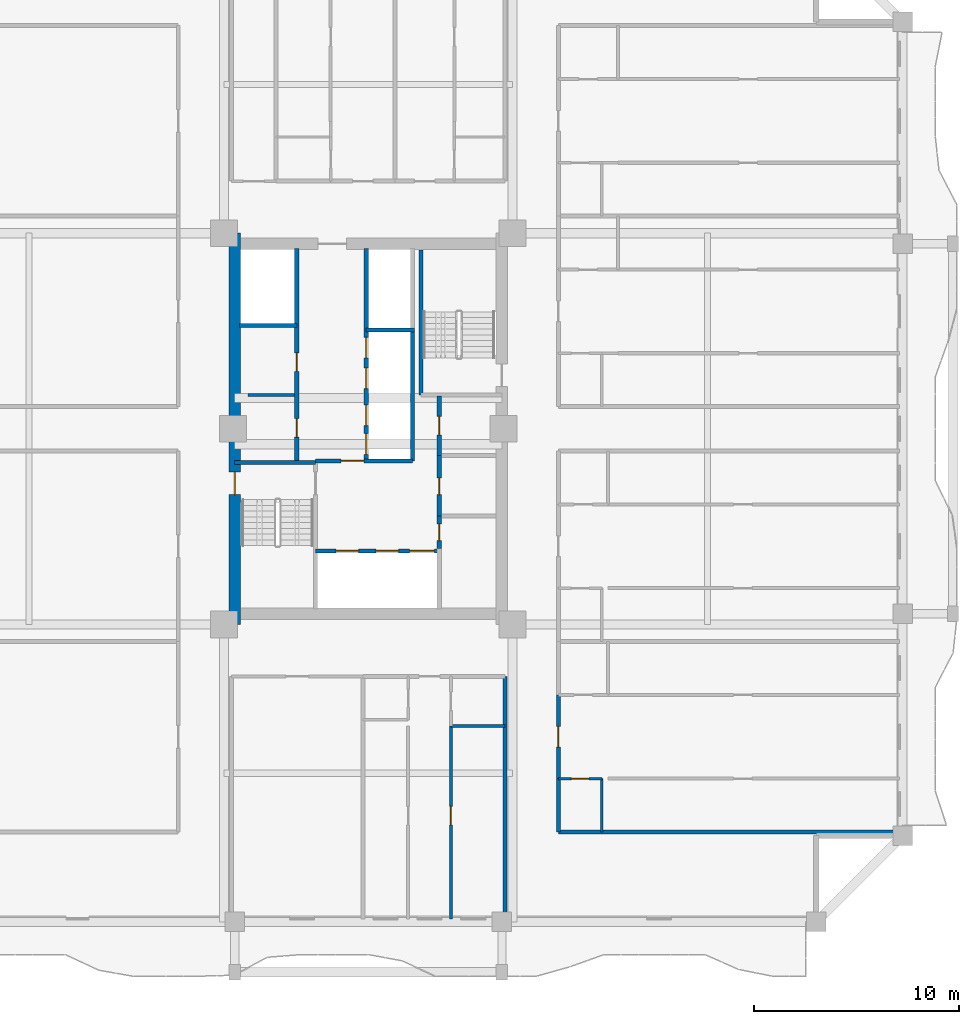
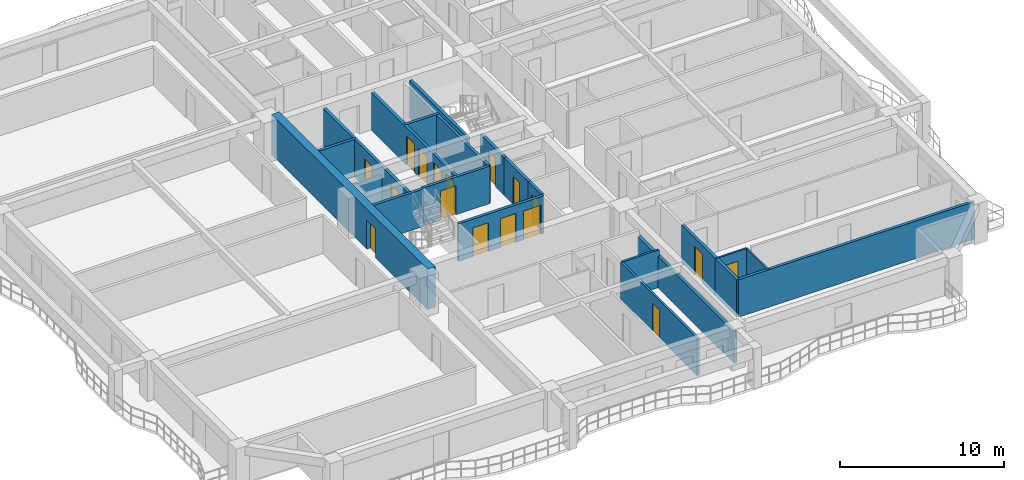
# One storey, part 3 of 12: 22 walls, 17 doors, 17 openings.
"""IFC4 building model written with IfcOpenShell, lengths in metres."""

from ifc_helpers import new_model, si_unit, direction, frame, frame_2d, origin, place, context, subcontext, project, spatial, rectangle, extrude, source, transform, mapped, material, layer, layer_set, type_object, element, fill, save


model = new_model("IFC4")

# Units and contexts
model_context = context("Model", 3, precision=1e-05, world=origin(), true_north=direction((0.0, 1.0)))
body_context = subcontext(model_context, "Body", "Model", "MODEL_VIEW")
ifc_project = project(units=[si_unit("LENGTHUNIT", "METRE"), si_unit("AREAUNIT", "SQUARE_METRE"), si_unit("VOLUMEUNIT", "CUBIC_METRE"), si_unit("PLANEANGLEUNIT", "RADIAN"), si_unit("MASSUNIT", "GRAM", prefix="KILO")], contexts=[model_context])

# Site, building, storey
site_placement = place(None, origin())
site = spatial("IfcSite", under=ifc_project, at=site_placement, CompositionType="ELEMENT")
building_placement = place(site_placement, origin())
building = spatial("IfcBuilding", under=site, at=building_placement, Name="Saelheon Loggia Tower", CompositionType="ELEMENT")
storey_placement = place(building_placement, frame((0.0, 0.0, 101.85009765625)))
storey = spatial("IfcBuildingStorey", under=building, at=storey_placement, Name="L32", CompositionType="ELEMENT", Elevation=101.85009765625)

# Wall, opening, door
ifc_material_1 = material(Name="Concrete C50/60", Category="concrete")
ifc_layer_1 = layer(ifc_material_1, 0.550048828125)
ifc_layer_set_1 = layer_set([ifc_layer_1], Name="Concrete C50/60")
wall_type_1 = type_object("IfcWallType", Name="Wall_CoreShear_550", PredefinedType="SHEAR", material=ifc_layer_set_1)
wall_1_placement = place(storey_placement, frame((31.5, 17.47998046875, 0.0), z_axis=(0.0, 0.0, 1.0), x_axis=(0.0, 1.0, 0.0)))
wall_1 = element("IfcWall", 1, at=wall_1_placement, inside=storey, type_object=wall_type_1, Name="L32 Core Shear Wall West", PredefinedType="SHEAR", context=body_context, shape_type="SweptSolid", body=[
    extrude(rectangle(XDim=19.0400390625, YDim=0.550048828125, at=frame_2d((9.52001953125, 0.0))), origin(), (0.0, 0.0, 1.0), 3.0),
])
opening_1_placement = place(wall_1_placement, frame((6.320068359375, 0.0, 0.0)))
opening_1 = element("IfcOpeningElement", 2, at=opening_1_placement, cuts=wall_1, Name="Opening D-FD2", PredefinedType="OPENING", context=body_context, shape_type="SweptSolid", body=[
    extrude(rectangle(XDim=1.10009765625, YDim=2.14990234375, at=frame_2d((0.550048828125, 1.074951171875))), frame((0.0, 0.287109375, 0.0), z_axis=(0.0, -1.0, 0.0), x_axis=(1.0, 0.0, 0.0)), (0.0, 0.0, 1.0), 0.573974609375),
])
ifc_material_2 = material(Name="Galvanised Steel Fire Door", Category="steel")
door_type_1 = type_object("IfcDoorType", Name="Door_Fire_FD60_1100", OperationType="NOTDEFINED", PredefinedType="DOOR", material=ifc_material_2)
shared_shape_1 = source(origin(), body_context, "Body", "SweptSolid", [
    extrude(rectangle(XDim=1.10009765625, YDim=2.14990234375, at=frame_2d((0.550048828125, 1.074951171875))), frame((0.0, 0.02490234375, 0.0), z_axis=(0.0, -1.0, 0.0), x_axis=(1.0, 0.0, 0.0)), (0.0, 0.0, 1.0), 0.050048828125),
])
door_1_placement = place(opening_1_placement, origin())
door_1 = element("IfcDoor", 3, at=door_1_placement, inside=storey, type_object=door_type_1, Name="L32 Stair ST1 Corridor Door", OperationType="SINGLE_SWING_LEFT", OverallHeight=2.14990234375, OverallWidth=1.10009765625, PredefinedType="DOOR", context=body_context, shape_type="MappedRepresentation", body=[
    mapped(shared_shape_1, transform((0.0, 0.0, 0.0), scale=1.0)),
])
fill(opening_1, door_1)

# Walls
ifc_material_3 = material(Name="Lightweight Autoclaved Aerated Concrete Block and Acoustic Gypsum", Category="concrete")
ifc_layer_2 = layer(ifc_material_3, 0.14990234375)
ifc_layer_set_2 = layer_set([ifc_layer_2], Name="Lightweight Autoclaved Aerated Concrete Block and Acoustic Gypsum")
wall_type_2 = type_object("IfcWallType", Name="Wall_Part_150", PredefinedType="PARTITIONING", material=ifc_layer_set_2)
wall_2_placement = place(storey_placement, frame((32.14990234375, 28.64990234375, 0.0), z_axis=(0.0, 0.0, 1.0), x_axis=(1.0, 0.0, 0.0)))
element("IfcWall", 4, at=wall_2_placement, inside=storey, type_object=wall_type_2, Name="L32 Freed Core Partition PL", PredefinedType="PARTITIONING", context=body_context, shape_type="SweptSolid", body=[
    extrude(rectangle(XDim=2.27001953125, YDim=0.14990234375, at=frame_2d((1.135009765625, 0.0))), origin(), (0.0, 0.0, 1.0), 2.139892578125),
])
wall_3_placement = place(storey_placement, frame((42.02197265625, 12.530029296875, 0.0), z_axis=(0.0, 0.0, 1.0), x_axis=(1.0, 0.0, 0.0)))
element("IfcWall", 5, at=wall_3_placement, inside=storey, type_object=wall_type_2, Name="L32 S Partition V09", PredefinedType="PARTITIONING", context=body_context, shape_type="SweptSolid", body=[
    extrude(rectangle(XDim=2.6279296875, YDim=0.14990234375, at=frame_2d((1.31396484375, 0.0))), origin(), (0.0, 0.0, 1.0), 2.789794921875),
])

# Wall, opening, door
wall_4_placement = place(storey_placement, frame((42.02197265625, 12.530029296875, 0.0), z_axis=(0.0, 0.0, 1.0), x_axis=(0.0, -1.0, 0.0)))
wall_4 = element("IfcWall", 6, at=wall_4_placement, inside=storey, type_object=wall_type_2, Name="L32 S Partition U13", PredefinedType="PARTITIONING", context=body_context, shape_type="SweptSolid", body=[
    extrude(rectangle(XDim=9.380126953125, YDim=0.14990234375, at=frame_2d((4.68994140625, 0.0))), origin(), (0.0, 0.0, 1.0), 2.789794921875),
])
opening_2_placement = place(wall_4_placement, frame((3.90673828125, 0.0, 0.0)))
opening_2 = element("IfcOpeningElement", 7, at=opening_2_placement, cuts=wall_4, Name="Opening D-IN2", PredefinedType="OPENING", context=body_context, shape_type="SweptSolid", body=[
    extrude(rectangle(XDim=0.89990234375, YDim=2.10009765625, at=frame_2d((0.449951171875, 1.050048828125))), frame((0.0, 0.0869140625, 0.0), z_axis=(0.0, -1.0, 0.0), x_axis=(1.0, 0.0, 0.0)), (0.0, 0.0, 1.0), 0.173828125),
])
ifc_material_4 = material(Name="Engineered Oak Flush Door", Category="timber")
door_type_2 = type_object("IfcDoorType", Name="Door_Int_900", OperationType="NOTDEFINED", PredefinedType="DOOR", material=ifc_material_4)
shared_shape_2 = source(origin(), body_context, "Body", "SweptSolid", [
    extrude(rectangle(XDim=0.89990234375, YDim=2.10009765625, at=frame_2d((0.449951171875, 1.050048828125))), frame((0.0, 0.02490234375, 0.0), z_axis=(0.0, -1.0, 0.0), x_axis=(1.0, 0.0, 0.0)), (0.0, 0.0, 1.0), 0.050048828125),
])
door_2_placement = place(opening_2_placement, origin())
door_2 = element("IfcDoor", 8, at=door_2_placement, inside=storey, type_object=door_type_2, Name="Unit U01 Bedroom 1 Door", OperationType="SINGLE_SWING_RIGHT", OverallHeight=2.10009765625, OverallWidth=0.89990234375, PredefinedType="DOOR", context=body_context, shape_type="MappedRepresentation", body=[
    mapped(shared_shape_2, transform((0.0, 0.0, 0.0), scale=1.0)),
])
fill(opening_2, door_2)

# Walls
ifc_material_5 = material(Name="Double Acoustic Stud and Fireboard Partition", Category="gypsum")
ifc_layer_3 = layer(ifc_material_5, 0.199951171875)
ifc_layer_set_3 = layer_set([ifc_layer_3], Name="Double Acoustic Stud and Fireboard Partition")
wall_type_3 = type_object("IfcWallType", Name="Wall_Party_200", PredefinedType="PARTITIONING", material=ifc_layer_set_3)
wall_5_placement = place(storey_placement, frame((44.64990234375, 14.949951171875, 0.0), z_axis=(0.0, 0.0, 1.0), x_axis=(0.0, -1.0, 0.0)))
element("IfcWall", 9, at=wall_5_placement, inside=storey, type_object=wall_type_3, Name="L32 S Partition U02", PredefinedType="PARTITIONING", context=body_context, shape_type="SweptSolid", body=[
    extrude(rectangle(XDim=11.800048828125, YDim=0.199951171875, at=frame_2d((5.89990234375, 0.0))), origin(), (0.0, 0.0, 1.0), 2.33984375),
])
wall_6_placement = place(storey_placement, frame((47.25, 7.3798828125, 0.0), z_axis=(0.0, 0.0, 1.0), x_axis=(1.0, 0.0, 0.0)))
element("IfcWall", 10, at=wall_6_placement, inside=storey, type_object=wall_type_3, Name="L32 ES Partition U01", PredefinedType="PARTITIONING", context=body_context, shape_type="SweptSolid", body=[
    extrude(rectangle(XDim=16.60009765625, YDim=0.199951171875, at=frame_2d((8.300048828125, 0.0))), origin(), (0.0, 0.0, 1.0), 2.789794921875),
])
wall_7_placement = place(storey_placement, frame((47.25, 7.3798828125, 0.0), z_axis=(0.0, 0.0, 1.0), x_axis=(0.0, 1.0, 0.0)))
element("IfcWall", 11, at=wall_7_placement, inside=storey, type_object=wall_type_3, Name="L32 ES Partition V03", PredefinedType="PARTITIONING", context=body_context, shape_type="SweptSolid", body=[
    extrude(rectangle(XDim=2.595703125, YDim=0.199951171875, at=frame_2d((1.2978515625, 0.0))), origin(), (0.0, 0.0, 1.0), 2.789794921875),
])

# Wall, opening, door
wall_8_placement = place(storey_placement, frame((47.25, 9.9755859375, 0.0), z_axis=(0.0, 0.0, 1.0), x_axis=(0.0, 1.0, 0.0)))
wall_8 = element("IfcWall", 12, at=wall_8_placement, inside=storey, type_object=wall_type_3, Name="L32 ES Partition V04", PredefinedType="PARTITIONING", context=body_context, shape_type="SweptSolid", body=[
    extrude(rectangle(XDim=4.074462890625, YDim=0.199951171875, at=frame_2d((2.037109375, 0.0))), origin(), (0.0, 0.0, 1.0), 2.789794921875),
])
opening_3_placement = place(wall_8_placement, frame((1.537109375, 0.0, 0.0)))
opening_3 = element("IfcOpeningElement", 13, at=opening_3_placement, cuts=wall_8, Name="Opening D-FD1", PredefinedType="OPENING", context=body_context, shape_type="SweptSolid", body=[
    extrude(rectangle(XDim=1.0, YDim=2.14990234375, at=frame_2d((0.5, 1.074951171875))), frame((0.0, 0.112060546875, 0.0), z_axis=(0.0, -1.0, 0.0), x_axis=(1.0, 0.0, 0.0)), (0.0, 0.0, 1.0), 0.223876953125),
])
ifc_material_6 = material(Name="Fire-Rated Engineered Timber Entrance Door", Category="wood")
door_type_3 = type_object("IfcDoorType", Name="Door_Flat_FD30S", OperationType="NOTDEFINED", PredefinedType="DOOR", material=ifc_material_6)
shared_shape_3 = source(origin(), body_context, "Body", "SweptSolid", [
    extrude(rectangle(XDim=1.0, YDim=2.14990234375, at=frame_2d((0.5, 1.074951171875))), frame((0.0, 0.02490234375, 0.0), z_axis=(0.0, -1.0, 0.0), x_axis=(1.0, 0.0, 0.0)), (0.0, 0.0, 1.0), 0.050048828125),
])
door_3_placement = place(opening_3_placement, origin())
door_3 = element("IfcDoor", 14, at=door_3_placement, inside=storey, type_object=door_type_3, Name="Unit U04 Entrance Door", OperationType="SINGLE_SWING_RIGHT", OverallHeight=2.14990234375, OverallWidth=1.0, PredefinedType="DOOR", context=body_context, shape_type="MappedRepresentation", body=[
    mapped(shared_shape_3, transform((0.0, 0.0, 0.0), scale=1.0)),
])
fill(opening_3, door_3)

ifc_material_7 = material(Name="Concrete C40/50", Category="concrete")
ifc_layer_4 = layer(ifc_material_7, 0.199951171875)
ifc_layer_set_4 = layer_set([ifc_layer_4], Name="Concrete C40/50")
wall_type_4 = type_object("IfcWallType", Name="Wall_Shaft_200", PredefinedType="PARTITIONING", material=ifc_layer_set_4)
wall_9_placement = place(storey_placement, frame((41.449951171875, 21.179931640625, 0.0), z_axis=(0.0, 0.0, 1.0), x_axis=(0.0, 1.0, 0.0)))
wall_9 = element("IfcWall", 15, at=wall_9_placement, inside=storey, type_object=wall_type_4, Name="CW-INT-L32-BOH-W1", PredefinedType="PARTITIONING", context=body_context, shape_type="SweptSolid", body=[
    extrude(rectangle(XDim=1.570068359375, YDim=0.199951171875, at=frame_2d((0.78515625, 0.0))), origin(), (0.0, 0.0, 1.0), 2.789794921875),
])
opening_4_placement = place(wall_9_placement, frame((0.3798828125, 0.0, 0.0)))
opening_4 = element("IfcOpeningElement", 16, at=opening_4_placement, cuts=wall_9, Name="Opening D-ST1", PredefinedType="OPENING", context=body_context, shape_type="SweptSolid", body=[
    extrude(rectangle(XDim=0.800048828125, YDim=2.050048828125, at=frame_2d((0.39990234375, 1.02490234375))), frame((0.0, 0.112060546875, 0.0), z_axis=(0.0, -1.0, 0.0), x_axis=(1.0, 0.0, 0.0)), (0.0, 0.0, 1.0), 0.223876953125),
])
ifc_material_8 = material(Name="Powder-Coated Steel Store Door", Category="steel")
door_type_4 = type_object("IfcDoorType", Name="Door_Store_800", OperationType="NOTDEFINED", PredefinedType="DOOR", material=ifc_material_8)
shared_shape_4 = source(origin(), body_context, "Body", "SweptSolid", [
    extrude(rectangle(XDim=0.800048828125, YDim=2.050048828125, at=frame_2d((0.39990234375, 1.02490234375))), frame((0.0, 0.02490234375, 0.0), z_axis=(0.0, -1.0, 0.0), x_axis=(1.0, 0.0, 0.0)), (0.0, 0.0, 1.0), 0.050048828125),
])
door_4_placement = place(opening_4_placement, origin())
door_4 = element("IfcDoor", 17, at=door_4_placement, inside=storey, type_object=door_type_4, Name="L32 Cleaner Store Door", OperationType="SINGLE_SWING_RIGHT", OverallHeight=2.050048828125, OverallWidth=0.800048828125, PredefinedType="DOOR", context=body_context, shape_type="MappedRepresentation", body=[
    mapped(shared_shape_4, transform((0.0, 0.0, 0.0), scale=1.0)),
])
fill(opening_4, door_4)

wall_10_placement = place(storey_placement, frame((41.449951171875, 22.75, 0.0), z_axis=(0.0, 0.0, 1.0), x_axis=(0.0, 1.0, 0.0)))
wall_10 = element("IfcWall", 18, at=wall_10_placement, inside=storey, type_object=wall_type_4, Name="CW-INT-L32-BOH-W2", PredefinedType="PARTITIONING", context=body_context, shape_type="SweptSolid", body=[
    extrude(rectangle(XDim=2.949951171875, YDim=0.199951171875, at=frame_2d((1.47509765625, 0.0))), origin(), (0.0, 0.0, 1.0), 2.789794921875),
])
opening_5_placement = place(wall_10_placement, frame((1.050048828125, 0.0, 0.0)))
opening_5 = element("IfcOpeningElement", 19, at=opening_5_placement, cuts=wall_10, Name="Opening D-ST1", PredefinedType="OPENING", context=body_context, shape_type="SweptSolid", body=[
    extrude(rectangle(XDim=0.800048828125, YDim=2.050048828125, at=frame_2d((0.39990234375, 1.02490234375))), frame((0.0, 0.112060546875, 0.0), z_axis=(0.0, -1.0, 0.0), x_axis=(1.0, 0.0, 0.0)), (0.0, 0.0, 1.0), 0.223876953125),
])
door_5_placement = place(opening_5_placement, origin())
door_5 = element("IfcDoor", 20, at=door_5_placement, inside=storey, type_object=door_type_4, Name="L32 Electrical Riser Door", OperationType="SINGLE_SWING_LEFT", OverallHeight=2.050048828125, OverallWidth=0.800048828125, PredefinedType="DOOR", context=body_context, shape_type="MappedRepresentation", body=[
    mapped(shared_shape_4, transform((0.0, 0.0, 0.0), scale=1.0)),
])
fill(opening_5, door_5)

wall_11_placement = place(storey_placement, frame((41.449951171875, 25.699951171875, 0.0), z_axis=(0.0, 0.0, 1.0), x_axis=(0.0, 1.0, 0.0)))
wall_11 = element("IfcWall", 21, at=wall_11_placement, inside=storey, type_object=wall_type_4, Name="CW-INT-L32-BOH-W3", PredefinedType="PARTITIONING", context=body_context, shape_type="SweptSolid", body=[
    extrude(rectangle(XDim=2.900146484375, YDim=0.199951171875, at=frame_2d((1.4501953125, 0.0))), origin(), (0.0, 0.0, 1.0), 2.789794921875),
])
opening_6_placement = place(wall_11_placement, frame((1.0, 0.0, 0.0)))
opening_6 = element("IfcOpeningElement", 22, at=opening_6_placement, cuts=wall_11, Name="Opening D-RS1", PredefinedType="OPENING", context=body_context, shape_type="SweptSolid", body=[
    extrude(rectangle(XDim=0.89990234375, YDim=2.10009765625, at=frame_2d((0.449951171875, 1.050048828125))), frame((0.0, 0.112060546875, 0.0), z_axis=(0.0, -1.0, 0.0), x_axis=(1.0, 0.0, 0.0)), (0.0, 0.0, 1.0), 0.223876953125),
])
ifc_material_9 = material(Name="Galvanised Steel Riser Access Door", Category="steel")
door_type_5 = type_object("IfcDoorType", Name="Door_Riser_FD60", OperationType="NOTDEFINED", PredefinedType="DOOR", material=ifc_material_9)
door_6_placement = place(opening_6_placement, origin())
door_6 = element("IfcDoor", 23, at=door_6_placement, inside=storey, type_object=door_type_5, Name="L32 Floor IT Room Door", OperationType="SINGLE_SWING_RIGHT", OverallHeight=2.10009765625, OverallWidth=0.89990234375, PredefinedType="DOOR", context=body_context, shape_type="MappedRepresentation", body=[
    mapped(shared_shape_2, transform((0.0, 0.0, 0.0), scale=1.0)),
])
fill(opening_6, door_6)

# Wall
wall_12_placement = place(storey_placement, frame((40.14990234375, 25.43994140625, 0.0), z_axis=(0.0, 0.0, 1.0), x_axis=(0.0, 1.0, 0.0)))
element("IfcWall", 24, at=wall_12_placement, inside=storey, type_object=wall_type_4, Name="L32 Core Service Passage West Wall", PredefinedType="PARTITIONING", context=body_context, shape_type="SweptSolid", body=[
    extrude(rectangle(XDim=6.360107421875, YDim=0.199951171875, at=frame_2d((3.18017578125, 0.0))), origin(), (0.0, 0.0, 1.0), 2.789794921875),
])

# Wall, openings, doors
wall_13_placement = place(storey_placement, frame((35.429931640625, 21.06005859375, 0.0), z_axis=(0.0, 0.0, 1.0), x_axis=(1.0, 0.0, 0.0)))
wall_13 = element("IfcWall", 25, at=wall_13_placement, inside=storey, type_object=wall_type_4, Name="L32 Firefighting Lift Shaft Front Wall", PredefinedType="PARTITIONING", context=body_context, shape_type="SweptSolid", body=[
    extrude(rectangle(XDim=6.02001953125, YDim=0.199951171875, at=frame_2d((3.010009765625, 0.0))), origin(), (0.0, 0.0, 1.0), 2.789794921875),
])
opening_7_placement = place(wall_13_placement, frame((1.0, 0.0, 0.0)))
opening_7 = element("IfcOpeningElement", 26, at=opening_7_placement, cuts=wall_13, Name="Opening LD2", PredefinedType="OPENING", context=body_context, shape_type="SweptSolid", body=[
    extrude(rectangle(XDim=1.10009765625, YDim=2.14990234375, at=frame_2d((0.550048828125, 1.074951171875))), frame((0.0, 0.112060546875, 0.0), z_axis=(0.0, -1.0, 0.0), x_axis=(1.0, 0.0, 0.0)), (0.0, 0.0, 1.0), 0.223876953125),
])
opening_8_placement = place(wall_13_placement, frame((2.949951171875, 0.0, 0.0)))
opening_8 = element("IfcOpeningElement", 27, at=opening_8_placement, cuts=wall_13, Name="Opening LD2", PredefinedType="OPENING", context=body_context, shape_type="SweptSolid", body=[
    extrude(rectangle(XDim=1.10009765625, YDim=2.14990234375, at=frame_2d((0.550048828125, 1.074951171875))), frame((0.0, 0.112060546875, 0.0), z_axis=(0.0, -1.0, 0.0), x_axis=(1.0, 0.0, 0.0)), (0.0, 0.0, 1.0), 0.223876953125),
])
opening_9_placement = place(wall_13_placement, frame((4.580078125, 0.0, 0.0)))
opening_9 = element("IfcOpeningElement", 28, at=opening_9_placement, cuts=wall_13, Name="Opening LD3", PredefinedType="OPENING", context=body_context, shape_type="SweptSolid", body=[
    extrude(rectangle(XDim=1.199951171875, YDim=2.14990234375, at=frame_2d((0.60009765625, 1.074951171875))), frame((0.0, 0.112060546875, 0.0), z_axis=(0.0, -1.0, 0.0), x_axis=(1.0, 0.0, 0.0)), (0.0, 0.0, 1.0), 0.223876953125),
])
ifc_material_10 = material(Name="Firefighting Stainless Steel 316 Landing Door", Category="steel")
door_type_6 = type_object("IfcDoorType", Name="Door_Lift_LD2", OperationType="DOUBLE_DOOR_SLIDING", PredefinedType="DOOR", material=ifc_material_10)
door_7_placement = place(opening_7_placement, origin())
door_7 = element("IfcDoor", 29, at=door_7_placement, inside=storey, type_object=door_type_6, Name="L32 FF1 Landing Door", OperationType="DOUBLE_DOOR_SLIDING", OverallHeight=2.14990234375, OverallWidth=1.10009765625, PredefinedType="DOOR", context=body_context, shape_type="MappedRepresentation", body=[
    mapped(shared_shape_1, transform((0.0, 0.0, 0.0), scale=1.0)),
])
fill(opening_7, door_7)
door_8_placement = place(opening_8_placement, origin())
door_8 = element("IfcDoor", 30, at=door_8_placement, inside=storey, type_object=door_type_6, Name="L32 FF2 Landing Door", OperationType="DOUBLE_DOOR_SLIDING", OverallHeight=2.14990234375, OverallWidth=1.10009765625, PredefinedType="DOOR", context=body_context, shape_type="MappedRepresentation", body=[
    mapped(shared_shape_1, transform((0.0, 0.0, 0.0), scale=1.0)),
])
fill(opening_8, door_8)
ifc_material_11 = material(Name="Stretcher Lift Stainless Steel 304 Landing Door", Category="steel")
door_type_7 = type_object("IfcDoorType", Name="Door_Lift_LD3", OperationType="DOUBLE_DOOR_SLIDING", PredefinedType="DOOR", material=ifc_material_11)
shared_shape_5 = source(origin(), body_context, "Body", "SweptSolid", [
    extrude(rectangle(XDim=1.199951171875, YDim=2.14990234375, at=frame_2d((0.60009765625, 1.074951171875))), frame((0.0, 0.02490234375, 0.0), z_axis=(0.0, -1.0, 0.0), x_axis=(1.0, 0.0, 0.0)), (0.0, 0.0, 1.0), 0.050048828125),
])
door_9_placement = place(opening_9_placement, origin())
door_9 = element("IfcDoor", 31, at=door_9_placement, inside=storey, type_object=door_type_7, Name="L32 SV1 Landing Door", OperationType="DOUBLE_DOOR_SLIDING", OverallHeight=2.14990234375, OverallWidth=1.199951171875, PredefinedType="DOOR", context=body_context, shape_type="MappedRepresentation", body=[
    mapped(shared_shape_5, transform((0.0, 0.0, 0.0), scale=1.0)),
])
fill(opening_9, door_9)

# Wall, opening, door
wall_14_placement = place(storey_placement, frame((35.429931640625, 25.43994140625, 0.0), z_axis=(0.0, 0.0, 1.0), x_axis=(1.0, 0.0, 0.0)))
wall_14 = element("IfcWall", 32, at=wall_14_placement, inside=storey, type_object=wall_type_4, Name="L32 Firefighting Lobby Compartment Wall", PredefinedType="PARTITIONING", context=body_context, shape_type="SweptSolid", body=[
    extrude(rectangle(XDim=4.719970703125, YDim=0.199951171875, at=frame_2d((2.35986328125, 0.0))), origin(), (0.0, 0.0, 1.0), 2.789794921875),
])
opening_10_placement = place(wall_14_placement, frame((1.25, 0.0, 0.0)))
opening_10 = element("IfcOpeningElement", 33, at=opening_10_placement, cuts=wall_14, Name="Opening D-FD2", PredefinedType="OPENING", context=body_context, shape_type="SweptSolid", body=[
    extrude(rectangle(XDim=1.10009765625, YDim=2.14990234375, at=frame_2d((0.550048828125, 1.074951171875))), frame((0.0, 0.112060546875, 0.0), z_axis=(0.0, -1.0, 0.0), x_axis=(1.0, 0.0, 0.0)), (0.0, 0.0, 1.0), 0.223876953125),
])
door_10_placement = place(opening_10_placement, origin())
door_10 = element("IfcDoor", 34, at=door_10_placement, inside=storey, type_object=door_type_1, Name="L32 Firefighting Lobby Door", OperationType="SINGLE_SWING_LEFT", OverallHeight=2.14990234375, OverallWidth=1.10009765625, PredefinedType="DOOR", context=body_context, shape_type="MappedRepresentation", body=[
    mapped(shared_shape_1, transform((0.0, 0.0, 0.0), scale=1.0)),
])
fill(opening_10, door_10)

# Wall, openings, doors
wall_15_placement = place(storey_placement, frame((34.52001953125, 25.43994140625, 0.0), z_axis=(0.0, 0.0, 1.0), x_axis=(0.0, 1.0, 0.0)))
wall_15 = element("IfcWall", 35, at=wall_15_placement, inside=storey, type_object=wall_type_4, Name="L32 West Passenger Lift Bank Wall", PredefinedType="PARTITIONING", context=body_context, shape_type="SweptSolid", body=[
    extrude(rectangle(XDim=10.340087890625, YDim=0.199951171875, at=frame_2d((5.169921875, 0.0))), origin(), (0.0, 0.0, 1.0), 2.789794921875),
])
opening_11_placement = place(wall_15_placement, frame((1.14990234375, 0.0, 0.0)))
opening_11 = element("IfcOpeningElement", 36, at=opening_11_placement, cuts=wall_15, Name="Opening D-RS1", PredefinedType="OPENING", context=body_context, shape_type="SweptSolid", body=[
    extrude(rectangle(XDim=0.89990234375, YDim=2.10009765625, at=frame_2d((0.449951171875, 1.050048828125))), frame((0.0, 0.112060546875, 0.0), z_axis=(0.0, -1.0, 0.0), x_axis=(1.0, 0.0, 0.0)), (0.0, 0.0, 1.0), 0.223876953125),
])
opening_12_placement = place(wall_15_placement, frame((4.35009765625, 0.0, 0.0)))
opening_12 = element("IfcOpeningElement", 37, at=opening_12_placement, cuts=wall_15, Name="Opening D-RS1", PredefinedType="OPENING", context=body_context, shape_type="SweptSolid", body=[
    extrude(rectangle(XDim=0.89990234375, YDim=2.10009765625, at=frame_2d((0.449951171875, 1.050048828125))), frame((0.0, 0.112060546875, 0.0), z_axis=(0.0, -1.0, 0.0), x_axis=(1.0, 0.0, 0.0)), (0.0, 0.0, 1.0), 0.223876953125),
])
door_11_placement = place(opening_11_placement, origin())
door_11 = element("IfcDoor", 38, at=door_11_placement, inside=storey, type_object=door_type_5, Name="L32 Parcel Store Door", OperationType="SINGLE_SWING_LEFT", OverallHeight=2.10009765625, OverallWidth=0.89990234375, PredefinedType="DOOR", context=body_context, shape_type="MappedRepresentation", body=[
    mapped(shared_shape_2, transform((0.0, 0.0, 0.0), scale=1.0)),
])
fill(opening_11, door_11)
door_12_placement = place(opening_12_placement, origin())
door_12 = element("IfcDoor", 39, at=door_12_placement, inside=storey, type_object=door_type_5, Name="L32 Smart Metering Door", OperationType="SINGLE_SWING_RIGHT", OverallHeight=2.10009765625, OverallWidth=0.89990234375, PredefinedType="DOOR", context=body_context, shape_type="MappedRepresentation", body=[
    mapped(shared_shape_2, transform((0.0, 0.0, 0.0), scale=1.0)),
])
fill(opening_12, door_12)

# Wall
wall_16_placement = place(storey_placement, frame((31.719970703125, 32.02001953125, 0.0), z_axis=(0.0, 0.0, 1.0), x_axis=(1.0, 0.0, 0.0)))
element("IfcWall", 40, at=wall_16_placement, inside=storey, type_object=wall_type_4, Name="L32 West High-Rise Shaft Divider", PredefinedType="PARTITIONING", context=body_context, shape_type="SweptSolid", body=[
    extrude(rectangle(XDim=2.800048828125, YDim=0.199951171875, at=frame_2d((1.39990234375, 0.0))), origin(), (0.0, 0.0, 1.0), 2.789794921875),
])

# Wall, openings, doors
wall_17_placement = place(storey_placement, frame((37.89990234375, 25.43994140625, 0.0), z_axis=(0.0, 0.0, 1.0), x_axis=(0.0, 1.0, 0.0)))
wall_17 = element("IfcWall", 41, at=wall_17_placement, inside=storey, type_object=wall_type_4, Name="L32 East Passenger Lift Bank Wall", PredefinedType="PARTITIONING", context=body_context, shape_type="SweptSolid", body=[
    extrude(rectangle(XDim=10.340087890625, YDim=0.199951171875, at=frame_2d((5.169921875, 0.0))), origin(), (0.0, 0.0, 1.0), 2.789794921875),
])
opening_13_placement = place(wall_17_placement, frame((0.320068359375, 0.0, 0.0)))
opening_13 = element("IfcOpeningElement", 42, at=opening_13_placement, cuts=wall_17, Name="Opening LD1", PredefinedType="OPENING", context=body_context, shape_type="SweptSolid", body=[
    extrude(rectangle(XDim=1.0, YDim=2.14990234375, at=frame_2d((0.5, 1.074951171875))), frame((0.0, 0.112060546875, 0.0), z_axis=(0.0, -1.0, 0.0), x_axis=(1.0, 0.0, 0.0)), (0.0, 0.0, 1.0), 0.223876953125),
])
opening_14_placement = place(wall_17_placement, frame((1.7099609375, 0.0, 0.0)))
opening_14 = element("IfcOpeningElement", 43, at=opening_14_placement, cuts=wall_17, Name="Opening LD1", PredefinedType="OPENING", context=body_context, shape_type="SweptSolid", body=[
    extrude(rectangle(XDim=1.0, YDim=2.14990234375, at=frame_2d((0.5, 1.074951171875))), frame((0.0, 0.112060546875, 0.0), z_axis=(0.0, -1.0, 0.0), x_axis=(1.0, 0.0, 0.0)), (0.0, 0.0, 1.0), 0.223876953125),
])
opening_15_placement = place(wall_17_placement, frame((3.510009765625, 0.0, 0.0)))
opening_15 = element("IfcOpeningElement", 44, at=opening_15_placement, cuts=wall_17, Name="Opening LD1", PredefinedType="OPENING", context=body_context, shape_type="SweptSolid", body=[
    extrude(rectangle(XDim=1.0, YDim=2.14990234375, at=frame_2d((0.5, 1.074951171875))), frame((0.0, 0.112060546875, 0.0), z_axis=(0.0, -1.0, 0.0), x_axis=(1.0, 0.0, 0.0)), (0.0, 0.0, 1.0), 0.223876953125),
])
opening_16_placement = place(wall_17_placement, frame((5.010009765625, 0.0, 0.0)))
opening_16 = element("IfcOpeningElement", 45, at=opening_16_placement, cuts=wall_17, Name="Opening LD1", PredefinedType="OPENING", context=body_context, shape_type="SweptSolid", body=[
    extrude(rectangle(XDim=1.0, YDim=2.14990234375, at=frame_2d((0.5, 1.074951171875))), frame((0.0, 0.112060546875, 0.0), z_axis=(0.0, -1.0, 0.0), x_axis=(1.0, 0.0, 0.0)), (0.0, 0.0, 1.0), 0.223876953125),
])
ifc_material_12 = material(Name="Brushed Stainless Steel 304 Landing Door", Category="steel")
door_type_8 = type_object("IfcDoorType", Name="Door_Lift_LD1", OperationType="DOUBLE_DOOR_SLIDING", PredefinedType="DOOR", material=ifc_material_12)
door_13_placement = place(opening_13_placement, origin())
door_13 = element("IfcDoor", 46, at=door_13_placement, inside=storey, type_object=door_type_8, Name="L32 PM1 Landing Door", OperationType="DOUBLE_DOOR_SLIDING", OverallHeight=2.14990234375, OverallWidth=1.0, PredefinedType="DOOR", context=body_context, shape_type="MappedRepresentation", body=[
    mapped(shared_shape_3, transform((0.0, 0.0, 0.0), scale=1.0)),
])
fill(opening_13, door_13)
door_14_placement = place(opening_14_placement, origin())
door_14 = element("IfcDoor", 47, at=door_14_placement, inside=storey, type_object=door_type_8, Name="L32 PM2 Landing Door", OperationType="DOUBLE_DOOR_SLIDING", OverallHeight=2.14990234375, OverallWidth=1.0, PredefinedType="DOOR", context=body_context, shape_type="MappedRepresentation", body=[
    mapped(shared_shape_3, transform((0.0, 0.0, 0.0), scale=1.0)),
])
fill(opening_14, door_14)
door_15_placement = place(opening_15_placement, origin())
door_15 = element("IfcDoor", 48, at=door_15_placement, inside=storey, type_object=door_type_8, Name="L32 PM3 Landing Door", OperationType="DOUBLE_DOOR_SLIDING", OverallHeight=2.14990234375, OverallWidth=1.0, PredefinedType="DOOR", context=body_context, shape_type="MappedRepresentation", body=[
    mapped(shared_shape_3, transform((0.0, 0.0, 0.0), scale=1.0)),
])
fill(opening_15, door_15)
door_16_placement = place(opening_16_placement, origin())
door_16 = element("IfcDoor", 49, at=door_16_placement, inside=storey, type_object=door_type_8, Name="L32 PM4 Landing Door", OperationType="DOUBLE_DOOR_SLIDING", OverallHeight=2.14990234375, OverallWidth=1.0, PredefinedType="DOOR", context=body_context, shape_type="MappedRepresentation", body=[
    mapped(shared_shape_3, transform((0.0, 0.0, 0.0), scale=1.0)),
])
fill(opening_16, door_16)

# Walls
wall_18_placement = place(storey_placement, frame((37.89990234375, 31.800048828125, 0.0), z_axis=(0.0, 0.0, 1.0), x_axis=(1.0, 0.0, 0.0)))
element("IfcWall", 50, at=wall_18_placement, inside=storey, type_object=wall_type_4, Name="L32 East High-Rise Shaft Divider", PredefinedType="PARTITIONING", context=body_context, shape_type="SweptSolid", body=[
    extrude(rectangle(XDim=2.35009765625, YDim=0.199951171875, at=frame_2d((1.175048828125, 0.0))), origin(), (0.0, 0.0, 1.0), 2.789794921875),
])
ifc_material_13 = material(Name="Concrete C45/55", Category="concrete")
ifc_layer_5 = layer(ifc_material_13, 0.199951171875)
ifc_layer_set_5 = layer_set([ifc_layer_5], Name="Concrete C45/55")
wall_type_5 = type_object("IfcWallType", Name="Wall_StairShaft_RC200", PredefinedType="SOLIDWALL", material=ifc_layer_set_5)
wall_19_placement = place(storey_placement, frame((31.5, 25.35009765625, 0.0), z_axis=(0.0, 0.0, 1.0), x_axis=(1.0, 0.0, 0.0)))
element("IfcWall", 51, at=wall_19_placement, inside=storey, type_object=wall_type_5, Name="L32 Stair ST1 North Wall", PredefinedType="SOLIDWALL", context=body_context, shape_type="SweptSolid", body=[
    extrude(rectangle(XDim=3.929931640625, YDim=0.199951171875, at=frame_2d((1.96484375, 0.0))), origin(), (0.0, 0.0, 1.0), 2.789794921875),
])
wall_20_placement = place(storey_placement, frame((40.570068359375, 28.64990234375, 0.0), z_axis=(0.0, 0.0, 1.0), x_axis=(0.0, 1.0, 0.0)))
element("IfcWall", 52, at=wall_20_placement, inside=storey, type_object=wall_type_5, Name="L32 Stair ST2 Shaft Wall", PredefinedType="SOLIDWALL", context=body_context, shape_type="SweptSolid", body=[
    extrude(rectangle(XDim=7.050048828125, YDim=0.199951171875, at=frame_2d((3.52490234375, 0.0))), origin(), (0.0, 0.0, 1.0), 2.789794921875),
])
ifc_material_14 = material(Name="Moisture-Resistant Cement Board Partition", Category="gypsum")
ifc_layer_6 = layer(ifc_material_14, 0.1201171875)
ifc_layer_set_6 = layer_set([ifc_layer_6], Name="Moisture-Resistant Cement Board Partition")
wall_type_6 = type_object("IfcWallType", Name="Wall_WetPart_120", PredefinedType="PARTITIONING", material=ifc_layer_set_6)
wall_21_placement = place(storey_placement, frame((49.3701171875, 7.3798828125, 0.0), z_axis=(0.0, 0.0, 1.0), x_axis=(0.0, 1.0, 0.0)))
element("IfcWall", 53, at=wall_21_placement, inside=storey, type_object=wall_type_6, Name="L32 ES Partition V06", PredefinedType="PARTITIONING", context=body_context, shape_type="SweptSolid", body=[
    extrude(rectangle(XDim=2.595703125, YDim=0.1201171875, at=frame_2d((1.2978515625, 0.0))), origin(), (0.0, 0.0, 1.0), 2.789794921875),
])

# Wall, opening, door
wall_22_placement = place(storey_placement, frame((47.25, 9.9755859375, 0.0), z_axis=(0.0, 0.0, 1.0), x_axis=(1.0, 0.0, 0.0)))
wall_22 = element("IfcWall", 54, at=wall_22_placement, inside=storey, type_object=wall_type_6, Name="L32 ES Partition U08", PredefinedType="PARTITIONING", context=body_context, shape_type="SweptSolid", body=[
    extrude(rectangle(XDim=2.1201171875, YDim=0.1201171875, at=frame_2d((1.06005859375, 0.0))), origin(), (0.0, 0.0, 1.0), 2.789794921875),
])
opening_17_placement = place(wall_22_placement, frame((0.635009765625, 0.0, 0.0)))
opening_17 = element("IfcOpeningElement", 55, at=opening_17_placement, cuts=wall_22, Name="Opening D-BT1", PredefinedType="OPENING", context=body_context, shape_type="SweptSolid", body=[
    extrude(rectangle(XDim=0.85009765625, YDim=2.050048828125, at=frame_2d((0.425048828125, 1.02490234375))), frame((0.0, 0.072021484375, 0.0), z_axis=(0.0, -1.0, 0.0), x_axis=(1.0, 0.0, 0.0)), (0.0, 0.0, 1.0), 0.14404296875),
])
ifc_material_15 = material(Name="Moisture-Resistant Laminate Timber Door", Category="wood")
door_type_9 = type_object("IfcDoorType", Name="Door_Bath_850", OperationType="NOTDEFINED", PredefinedType="DOOR", material=ifc_material_15)
shared_shape_6 = source(origin(), body_context, "Body", "SweptSolid", [
    extrude(rectangle(XDim=0.85009765625, YDim=2.050048828125, at=frame_2d((0.425048828125, 1.02490234375))), frame((0.0, 0.02490234375, 0.0), z_axis=(0.0, -1.0, 0.0), x_axis=(1.0, 0.0, 0.0)), (0.0, 0.0, 1.0), 0.050048828125),
])
door_17_placement = place(opening_17_placement, origin())
door_17 = element("IfcDoor", 56, at=door_17_placement, inside=storey, type_object=door_type_9, Name="Unit U04 Bathroom Door", OperationType="SINGLE_SWING_LEFT", OverallHeight=2.050048828125, OverallWidth=0.85009765625, PredefinedType="DOOR", context=body_context, shape_type="MappedRepresentation", body=[
    mapped(shared_shape_6, transform((0.0, 0.0, 0.0), scale=1.0)),
])
fill(opening_17, door_17)

save(model, "model.ifc")
